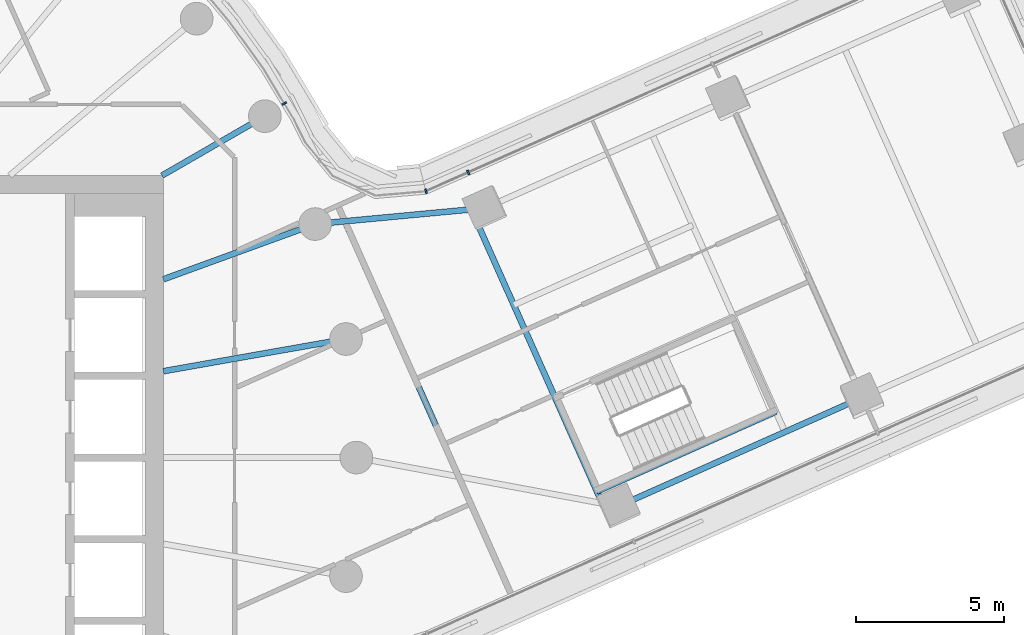
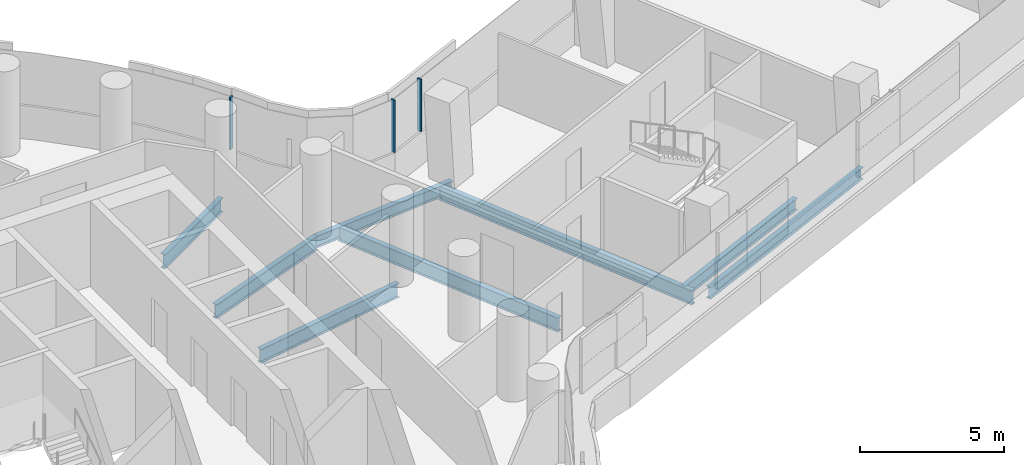
# One storey, part 11 of 35: 8 beams, 3 members, 2 elements without a shape of their own.
"""IFC4 building model written with IfcOpenShell, lengths in metres."""

from ifc_helpers import new_model, si_unit, direction, frame, origin, origin_2d, place, context, subcontext, project, spatial, rectangle, i_section, extrude, material, layer, layer_set, material_profile, profile_set, type_object, element, aggregate, save


model = new_model("IFC4")

# Units and contexts
model_context = context("Model", 3, precision=1e-05, world=origin(), true_north=direction((0.0, 1.0)))
body_context = subcontext(model_context, "Body", "Model", "MODEL_VIEW")
ifc_project = project(units=[si_unit("LENGTHUNIT", "METRE"), si_unit("AREAUNIT", "SQUARE_METRE"), si_unit("VOLUMEUNIT", "CUBIC_METRE"), si_unit("PLANEANGLEUNIT", "RADIAN"), si_unit("MASSUNIT", "GRAM", prefix="KILO")], contexts=[model_context])

# Site, building, storey
site_placement = place(None, origin())
site = spatial("IfcSite", under=ifc_project, at=site_placement, CompositionType="ELEMENT")
building_placement = place(site_placement, origin())
building = spatial("IfcBuilding", under=site, at=building_placement, Name="Tamarind Cross Interchange Tower", CompositionType="ELEMENT")
storey_placement = place(building_placement, frame((0.0, 0.0, 121.0)))
storey = spatial("IfcBuildingStorey", under=building, at=storey_placement, Name="L29", CompositionType="ELEMENT", Elevation=121.0)

# Beams
ifc_material_1 = material(Name="Steel Q355B", Category="steel")
ifc_material_profile_1 = material_profile(ifc_material_1, i_section(OverallWidth=0.198974609375, OverallDepth=0.49609375, WebThickness=0.009033203125, FlangeThickness=0.013916015625, FilletRadius=0.012939453125, at=origin_2d()), Name="HN 496x199x9x14")
ifc_profile_set_1 = profile_set([ifc_material_profile_1], Name="Steel Q355B")
beam_type_1 = type_object("IfcBeamType", Name="Composite beam HN 496x199x9x14 Q355B", PredefinedType="BEAM", material=ifc_profile_set_1)
beam_1_placement = place(storey_placement, frame((40.040283203125, 2.021728515625, -0.387939453125), z_axis=(-0.913327655612, -0.407225482374, 0.0), x_axis=(0.407225482374, -0.913327655612, 0.0)))
element("IfcBeam", 1, at=beam_1_placement, inside=storey, type_object=beam_type_1, Name="Beam E-edgeem6", PredefinedType="BEAM", context=body_context, shape_type="SweptSolid", body=[
    extrude(i_section(OverallWidth=0.198974609375, OverallDepth=0.49609375, WebThickness=0.009033203125, FlangeThickness=0.013916015625, FilletRadius=0.012939453125, at=origin_2d()), origin(), (0.0, 0.0, 1.0), 9.0),
])
beam_2_placement = place(storey_placement, frame((27.3408203125, 8.4033203125, -0.387939453125), z_axis=(-0.995636074563, -0.093320989215, 0.0), x_axis=(0.093320989215, -0.995636074563, 0.0)))
element("IfcBeam", 2, at=beam_2_placement, inside=storey, type_object=beam_type_1, Name="Beam E-linkep", PredefinedType="BEAM", context=body_context, shape_type="SweptSolid", body=[
    extrude(i_section(OverallWidth=0.198974609375, OverallDepth=0.49609375, WebThickness=0.009033203125, FlangeThickness=0.013916015625, FilletRadius=0.012939453125, at=origin_2d()), origin(), (0.0, 0.0, 1.0), 5.7529296875),
])
beam_3_placement = place(storey_placement, frame((31.10400390625, -1.1416015625, -0.387939453125), z_axis=(0.9133212232, 0.407239908717, 0.0), x_axis=(-0.407239908717, 0.9133212232, 0.0)))
element("IfcBeam", 3, at=beam_3_placement, inside=storey, type_object=beam_type_1, Name="Beam E-tr0", PredefinedType="BEAM", context=body_context, shape_type="SweptSolid", body=[
    extrude(i_section(OverallWidth=0.198974609375, OverallDepth=0.49609375, WebThickness=0.009033203125, FlangeThickness=0.013916015625, FilletRadius=0.012939453125, at=origin_2d()), origin(), (0.0, 0.0, 1.0), 6.599853515625),
])
ifc_material_profile_2 = material_profile(ifc_material_1, i_section(OverallWidth=0.198974609375, OverallDepth=0.595947265625, WebThickness=0.010009765625, FlangeThickness=0.014892578125, FilletRadius=0.012939453125, at=origin_2d()), Name="HN 596x199x10x15")
ifc_profile_set_2 = profile_set([ifc_material_profile_2], Name="Steel Q355B")
beam_type_2 = type_object("IfcBeamType", Name="Composite beam HN 596x199x10x15 Q355B", PredefinedType="BEAM", material=ifc_profile_set_2)
beam_4_placement = place(storey_placement, frame((22.650634765625, 3.993896484375, -0.43798828125), z_axis=(-0.984809127561, -0.173640382036, 0.0), x_axis=(0.173640382036, -0.984809127561, 0.0)))
element("IfcBeam", 4, at=beam_4_placement, inside=storey, type_object=beam_type_2, Name="Beam HH01", PredefinedType="BEAM", context=body_context, shape_type="SweptSolid", body=[
    extrude(i_section(OverallWidth=0.198974609375, OverallDepth=0.595947265625, WebThickness=0.010009765625, FlangeThickness=0.014892578125, FilletRadius=0.012939453125, at=origin_2d()), origin(), (0.0, 0.0, 1.0), 6.24560546875),
])
beam_5_placement = place(storey_placement, frame((21.613037109375, 7.866455078125, -0.43798828125), z_axis=(-0.939701685589, -0.341995236956, 0.0), x_axis=(0.341995236956, -0.939701685589, 0.0)))
element("IfcBeam", 5, at=beam_5_placement, inside=storey, type_object=beam_type_2, Name="Beam HH02", PredefinedType="BEAM", context=body_context, shape_type="SweptSolid", body=[
    extrude(i_section(OverallWidth=0.198974609375, OverallDepth=0.595947265625, WebThickness=0.010009765625, FlangeThickness=0.014892578125, FilletRadius=0.012939453125, at=origin_2d()), origin(), (0.0, 0.0, 1.0), 5.441162109375),
])
beam_6_placement = place(storey_placement, frame((19.918701171875, 11.5, -0.43798828125), z_axis=(-0.866026010844, -0.49999894854, 0.0), x_axis=(0.49999894854, -0.866026010844, 0.0)))
element("IfcBeam", 6, at=beam_6_placement, inside=storey, type_object=beam_type_2, Name="Beam HH03", PredefinedType="BEAM", context=body_context, shape_type="SweptSolid", body=[
    extrude(i_section(OverallWidth=0.198974609375, OverallDepth=0.595947265625, WebThickness=0.010009765625, FlangeThickness=0.014892578125, FilletRadius=0.012939453125, at=origin_2d()), origin(), (0.0, 0.0, 1.0), 4.0),
])
ifc_material_profile_3 = material_profile(ifc_material_1, i_section(OverallWidth=0.199951171875, OverallDepth=0.60009765625, WebThickness=0.010986328125, FlangeThickness=0.01708984375, FilletRadius=0.012939453125, at=origin_2d()), Name="HN 600x200x11x17")
ifc_profile_set_3 = profile_set([ifc_material_profile_3], Name="Steel Q355B")
beam_type_3 = type_object("IfcBeamType", Name="Composite beam HN 600x200x11x17 Q355B", PredefinedType="BEAM", material=ifc_profile_set_3)
beam_7_placement = place(storey_placement, frame((31.282958984375, -1.543212890625, -0.43994140625), z_axis=(-0.407224638817, 0.913328031728, 0.0), x_axis=(-0.913328031728, -0.407224638817, 0.0)))
element("IfcBeam", 7, at=beam_7_placement, inside=storey, type_object=beam_type_3, Name="Beam E-x298", PredefinedType="BEAM", context=body_context, shape_type="SweptSolid", body=[
    extrude(i_section(OverallWidth=0.199951171875, OverallDepth=0.60009765625, WebThickness=0.010986328125, FlangeThickness=0.01708984375, FilletRadius=0.012939453125, at=origin_2d()), origin(), (0.0, 0.0, 1.0), 10.841796875),
])
beam_8_placement = place(storey_placement, frame((26.447021484375, -0.642333984375, -0.43994140625), z_axis=(-0.407220453871, 0.913329897654, 0.0), x_axis=(-0.913329897654, -0.407220453871, 0.0)))
element("IfcBeam", 8, at=beam_8_placement, inside=storey, type_object=beam_type_3, Name="Beam E-x258", PredefinedType="BEAM", context=body_context, shape_type="SweptSolid", body=[
    extrude(i_section(OverallWidth=0.199951171875, OverallDepth=0.60009765625, WebThickness=0.010986328125, FlangeThickness=0.01708984375, FilletRadius=0.012939453125, at=origin_2d()), origin(), (0.0, 0.0, 1.0), 9.418701171875),
])

# Curtain wall, member
ifc_material_2 = material(Name="Aluminium 6063-T6", Category="aluminium")
ifc_layer = layer(ifc_material_2, 0.159912109375)
ifc_layer_set = layer_set([ifc_layer], Name="Aluminium 6063-T6")
curtain_wall_type = type_object("IfcCurtainWallType", Name="Office curtain wall, 9.0 m bays", PredefinedType="NOTDEFINED", material=ifc_layer_set)
curtain_wall_1_placement = place(storey_placement, origin())
curtain_wall_1 = element("IfcCurtainWall", 9, at=curtain_wall_1_placement, inside=storey, type_object=curtain_wall_type, Name="CWS-L29-09", PredefinedType="NOTDEFINED")
ifc_material_profile_4 = material_profile(ifc_material_2, rectangle(XDim=0.06005859375, YDim=0.159912109375, at=origin_2d()), Name="Mullion CW1")
ifc_profile_set_4 = profile_set([ifc_material_profile_4], Name="Aluminium 6063-T6")
member_type = type_object("IfcMemberType", Name="Mullion CW1", PredefinedType="MULLION", material=ifc_profile_set_4)
member_1_placement = place(storey_placement, frame((26.76904296875, 9.604248046875, 1.39990234375), z_axis=(0.0, 0.0, 1.0), x_axis=(-0.914040185221, -0.40562364305, 0.0)))
member_1 = element("IfcMember", 10, at=member_1_placement, type_object=member_type, Name="CWM-L29-09-02", PredefinedType="MULLION", context=body_context, shape_type="SweptSolid", body=[
    extrude(rectangle(XDim=0.06005859375, YDim=0.159912109375, at=origin_2d()), origin(), (0.0, 0.0, 1.0), 2.210205078125),
])
aggregate(curtain_wall_1, [member_1])

# Curtain wall, members
curtain_wall_2_placement = place(storey_placement, origin())
curtain_wall_2 = element("IfcCurtainWall", 11, at=curtain_wall_2_placement, inside=storey, type_object=curtain_wall_type, Name="CWS-L29-10", PredefinedType="NOTDEFINED")
member_2_placement = place(storey_placement, frame((25.3447265625, 8.97216796875, 1.39990234375), z_axis=(0.0, 0.0, 1.0), x_axis=(-0.968506091697, -0.248989859926, 0.0)))
member_2 = element("IfcMember", 12, at=member_2_placement, type_object=member_type, Name="CWM-L29-10-00", PredefinedType="MULLION", context=body_context, shape_type="SweptSolid", body=[
    extrude(rectangle(XDim=0.06005859375, YDim=0.159912109375, at=origin_2d()), origin(), (0.0, 0.0, 1.0), 2.210205078125),
])
member_3_placement = place(storey_placement, frame((20.57080078125, 11.92724609375, 1.39990234375), z_axis=(0.0, 0.0, 1.0), x_axis=(-0.515577308909, 0.856843065292, 0.0)))
member_3 = element("IfcMember", 13, at=member_3_placement, type_object=member_type, Name="CWM-L29-10-01", PredefinedType="MULLION", context=body_context, shape_type="SweptSolid", body=[
    extrude(rectangle(XDim=0.06005859375, YDim=0.159912109375, at=origin_2d()), origin(), (0.0, 0.0, 1.0), 2.210205078125),
])
aggregate(curtain_wall_2, [member_2, member_3])

save(model, "model.ifc")
